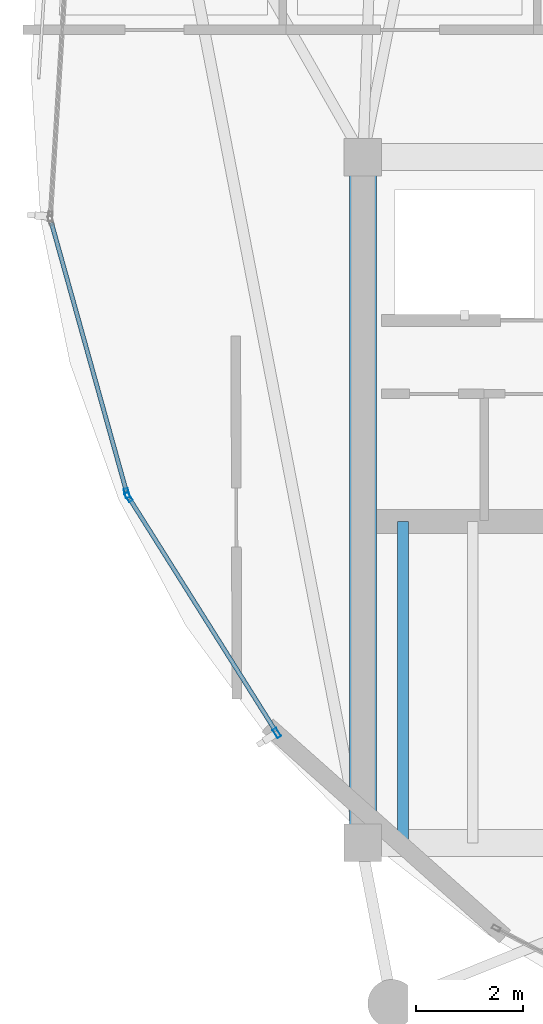
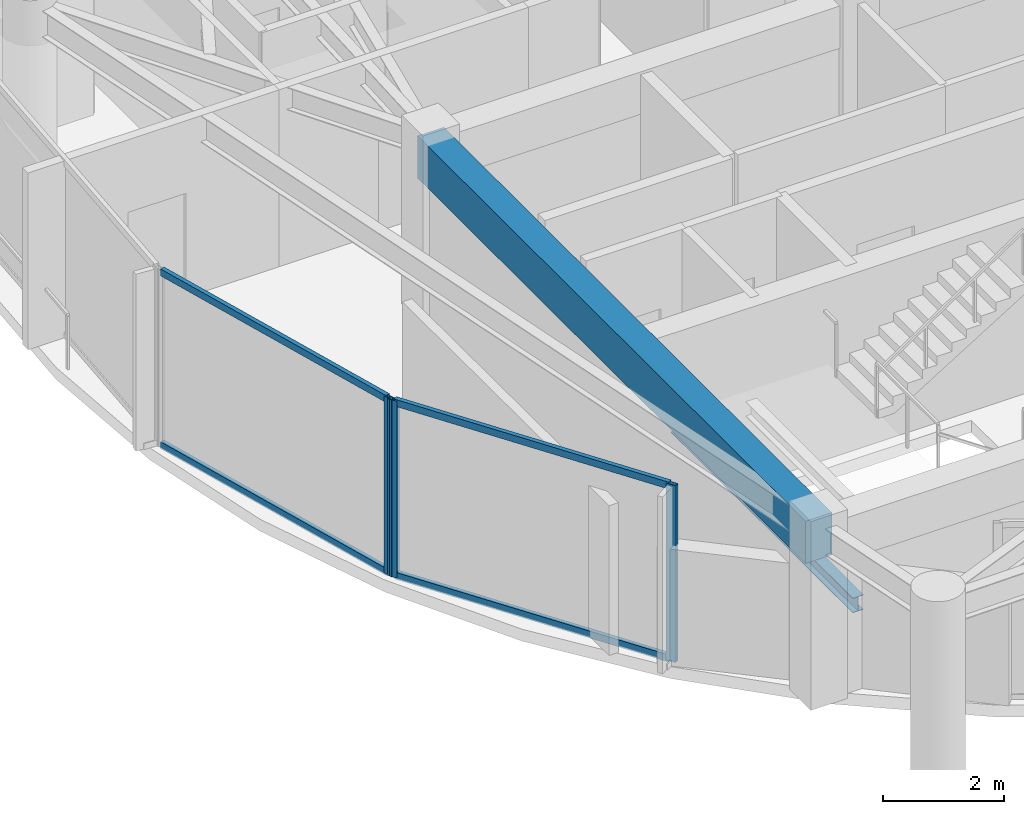
# One storey, part 3 of 29: 7 members, 2 beams, 2 elements without a shape of their own.
"""IFC4 building model written with IfcOpenShell, lengths in metres."""

from ifc_helpers import new_model, si_unit, direction, frame, origin, origin_2d, place, context, subcontext, project, spatial, rectangle, hollow_rectangle, i_section, extrude, material, layer, layer_set, material_profile, profile_set, type_object, element, aggregate, save


model = new_model("IFC4")

# Units and contexts
model_context = context("Model", 3, precision=1e-05, world=origin(), true_north=direction((0.0, 1.0)))
body_context = subcontext(model_context, "Body", "Model", "MODEL_VIEW")
ifc_project = project(units=[si_unit("LENGTHUNIT", "METRE"), si_unit("AREAUNIT", "SQUARE_METRE"), si_unit("VOLUMEUNIT", "CUBIC_METRE"), si_unit("PLANEANGLEUNIT", "RADIAN"), si_unit("MASSUNIT", "GRAM", prefix="KILO")], contexts=[model_context])

# Site, building, storey
site_placement = place(None, origin())
site = spatial("IfcSite", under=ifc_project, at=site_placement, CompositionType="ELEMENT")
building_placement = place(site_placement, origin())
building = spatial("IfcBuilding", under=site, at=building_placement, Name="Kazevale Care Tower and Concert Hall", CompositionType="ELEMENT")
storey_placement = place(building_placement, frame((0.0, 0.0, 262.39990234375)))
storey = spatial("IfcBuildingStorey", under=building, at=storey_placement, Name="L69", CompositionType="ELEMENT", Elevation=262.39990234375)

# Curtain wall, members
ifc_material_1 = material(Name="Aluminium 6063-T6 and Low-E Glass", Category="aluminium")
ifc_layer = layer(ifc_material_1, 0.179931640625)
ifc_layer_set = layer_set([ifc_layer], Name="Aluminium 6063-T6 and Low-E Glass")
curtain_wall_type = type_object("IfcCurtainWallType", Name="Waist & Upper Residential Curtain Wall CW-4", PredefinedType="NOTDEFINED", material=ifc_layer_set)
curtain_wall_1_placement = place(storey_placement, origin())
curtain_wall_1 = element("IfcCurtainWall", 1, at=curtain_wall_1_placement, inside=storey, type_object=curtain_wall_type, Name="cw:L69:f11", PredefinedType="NOTDEFINED")
ifc_material_2 = material(Name="Aluminium 6063-T6", Category="aluminium")
ifc_material_profile_1 = material_profile(ifc_material_2, hollow_rectangle(XDim=0.080078125, YDim=0.179931640625, WallThickness=0.0048828125, at=origin_2d()), Name="ALU80x180x5")
ifc_profile_set_1 = profile_set([ifc_material_profile_1], Name="Aluminium 6063-T6")
member_type_1 = type_object("IfcMemberType", Name="CW-4 Mullion ALU80x180x5", PredefinedType="MULLION", material=ifc_profile_set_1)
member_1_placement = place(storey_placement, frame((20.3916015625, 25.65087890625, 0.0), z_axis=(0.0, 0.0, 1.0), x_axis=(-0.846697503152, -0.532074560711, 0.0)))
member_1 = element("IfcMember", 2, at=member_1_placement, type_object=member_type_1, Name="CW-4 mullion 1", PredefinedType="MULLION", context=body_context, shape_type="SweptSolid", body=[
    extrude(hollow_rectangle(XDim=0.080078125, YDim=0.179931640625, WallThickness=0.0048828125, at=origin_2d()), origin(), (0.0, 0.0, 1.0), 3.56005859375),
])
member_2_placement = place(storey_placement, frame((17.625244140625, 30.05322265625, 0.0), z_axis=(0.0, 0.0, 1.0), x_axis=(-0.846697503152, -0.532074560711, 0.0)))
member_2 = element("IfcMember", 3, at=member_2_placement, type_object=member_type_1, Name="CW-4 mullion 2", PredefinedType="MULLION", context=body_context, shape_type="SweptSolid", body=[
    extrude(hollow_rectangle(XDim=0.080078125, YDim=0.179931640625, WallThickness=0.0048828125, at=origin_2d()), origin(), (0.0, 0.0, 1.0), 3.56005859375),
])

# Curtain wall, member
curtain_wall_2_placement = place(storey_placement, origin())
curtain_wall_2 = element("IfcCurtainWall", 4, at=curtain_wall_2_placement, inside=storey, type_object=curtain_wall_type, Name="cw:L69:f12", PredefinedType="NOTDEFINED")
member_3_placement = place(storey_placement, frame((17.59326171875, 30.12548828125, 0.0), z_axis=(0.0, 0.0, 1.0), x_axis=(-0.963194056491, -0.268807011704, 0.0)))
member_3 = element("IfcMember", 5, at=member_3_placement, type_object=member_type_1, Name="CW-4 mullion 1", PredefinedType="MULLION", context=body_context, shape_type="SweptSolid", body=[
    extrude(hollow_rectangle(XDim=0.080078125, YDim=0.179931640625, WallThickness=0.0048828125, at=origin_2d()), origin(), (0.0, 0.0, 1.0), 3.56005859375),
])

# Member
ifc_material_profile_2 = material_profile(ifc_material_2, hollow_rectangle(XDim=0.080078125, YDim=0.139892578125, WallThickness=0.00390625, at=origin_2d()), Name="ALU80x140x4")
ifc_profile_set_2 = profile_set([ifc_material_profile_2], Name="Aluminium 6063-T6")
member_type_2 = type_object("IfcMemberType", Name="CW-4 Transom ALU80x140x4", PredefinedType="USERDEFINED", material=ifc_profile_set_2)
member_4_placement = place(storey_placement, frame((20.370361328125, 25.684814453125, 0.0400390625), z_axis=(-0.532080710127, 0.846693638756, 0.0), x_axis=(-0.846693638756, -0.532080710127, 0.0)))
member_4 = element("IfcMember", 6, at=member_4_placement, type_object=member_type_2, Name="CW-4 transom 1.1", ObjectType="TRANSOM", PredefinedType="USERDEFINED", context=body_context, shape_type="SweptSolid", body=[
    extrude(hollow_rectangle(XDim=0.080078125, YDim=0.139892578125, WallThickness=0.00390625, at=origin_2d()), origin(), (0.0, 0.0, 1.0), 5.119384765625),
])

member_5_placement = place(storey_placement, frame((20.370361328125, 25.684814453125, 3.52001953125), z_axis=(-0.532080710127, 0.846693638756, 0.0), x_axis=(-0.846693638756, -0.532080710127, 0.0)))
member_5 = element("IfcMember", 7, at=member_5_placement, type_object=member_type_2, Name="CW-4 transom 1.2", ObjectType="TRANSOM", PredefinedType="USERDEFINED", context=body_context, shape_type="SweptSolid", body=[
    extrude(hollow_rectangle(XDim=0.080078125, YDim=0.139892578125, WallThickness=0.00390625, at=origin_2d()), origin(), (0.0, 0.0, 1.0), 5.119384765625),
])

aggregate(curtain_wall_1, [member_1, member_2, member_4, member_5])

member_6_placement = place(storey_placement, frame((17.58251953125, 30.1640625, 0.0400390625), z_axis=(-0.268792895196, 0.963197995997, 0.0), x_axis=(-0.963197995997, -0.268792895196, 0.0)))
member_6 = element("IfcMember", 8, at=member_6_placement, type_object=member_type_2, Name="CW-4 transom 1.1", ObjectType="TRANSOM", PredefinedType="USERDEFINED", context=body_context, shape_type="SweptSolid", body=[
    extrude(hollow_rectangle(XDim=0.080078125, YDim=0.139892578125, WallThickness=0.00390625, at=origin_2d()), origin(), (0.0, 0.0, 1.0), 5.20458984375),
])

member_7_placement = place(storey_placement, frame((17.58251953125, 30.1640625, 3.52001953125), z_axis=(-0.268792895196, 0.963197995997, 0.0), x_axis=(-0.963197995997, -0.268792895196, 0.0)))
member_7 = element("IfcMember", 9, at=member_7_placement, type_object=member_type_2, Name="CW-4 transom 1.2", ObjectType="TRANSOM", PredefinedType="USERDEFINED", context=body_context, shape_type="SweptSolid", body=[
    extrude(hollow_rectangle(XDim=0.080078125, YDim=0.139892578125, WallThickness=0.00390625, at=origin_2d()), origin(), (0.0, 0.0, 1.0), 5.20458984375),
])

aggregate(curtain_wall_2, [member_3, member_6, member_7])

# Beams
ifc_material_3 = material(Name="Concrete C60", Category="concrete")
ifc_material_profile_3 = material_profile(ifc_material_3, rectangle(XDim=0.5, YDim=0.85009765625, at=origin_2d()), Name="RC-B500x850")
ifc_profile_set_3 = profile_set([ifc_material_profile_3], Name="Concrete C60")
beam_type_1 = type_object("IfcBeamType", Name="Core Coupling Beam RC500x850", PredefinedType="LINTEL", material=ifc_profile_set_3)
beam_1_placement = place(storey_placement, frame((22.0, 36.39990234375, 3.135009765625), z_axis=(0.0, -1.0, 0.0), x_axis=(1.0, 0.0, 0.0)))
element("IfcBeam", 10, at=beam_1_placement, inside=storey, type_object=beam_type_1, Name="beam:L69:coretie:8", PredefinedType="LINTEL", context=body_context, shape_type="SweptSolid", body=[
    extrude(rectangle(XDim=0.5, YDim=0.85009765625, at=origin_2d()), origin(), (0.0, 0.0, 1.0), 12.7998046875),
])
ifc_material_4 = material(Name="Steel ASTM A572 Gr 50", Category="steel")
ifc_material_profile_4 = material_profile(ifc_material_4, i_section(OverallWidth=0.202880859375, OverallDepth=0.302978515625, WebThickness=0.007568359375, FlangeThickness=0.01318359375, at=origin_2d()), Name="W310x60")
ifc_profile_set_4 = profile_set([ifc_material_profile_4], Name="Steel ASTM A572 Gr 50")
beam_type_2 = type_object("IfcBeamType", Name="Stair & Balcony Trimmer W310x60", PredefinedType="BEAM", material=ifc_profile_set_4)
beam_2_placement = place(storey_placement, frame((22.75, 23.60009765625, 1.548583984375), z_axis=(0.0, 1.0, 0.0), x_axis=(-1.0, 0.0, 0.0)))
element("IfcBeam", 11, at=beam_2_placement, inside=storey, type_object=beam_type_2, Name="beam:L69:sttrim:ST1", PredefinedType="BEAM", context=body_context, shape_type="SweptSolid", body=[
    extrude(i_section(OverallWidth=0.202880859375, OverallDepth=0.302978515625, WebThickness=0.007568359375, FlangeThickness=0.01318359375, at=origin_2d()), origin(), (0.0, 0.0, 1.0), 6.0),
])

save(model, "model.ifc")
